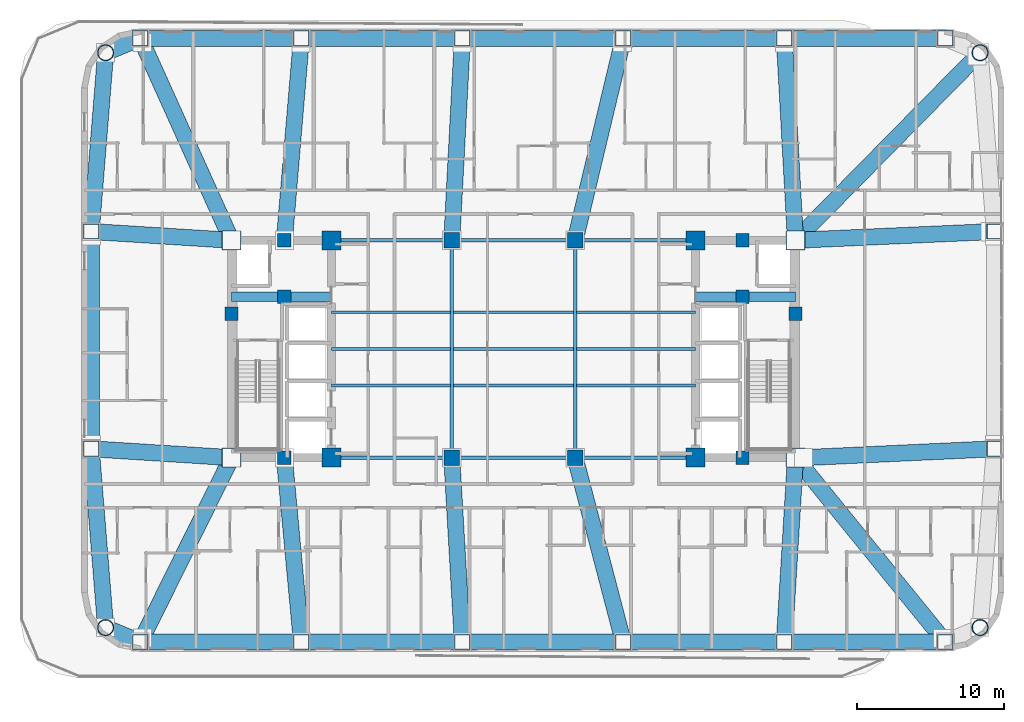
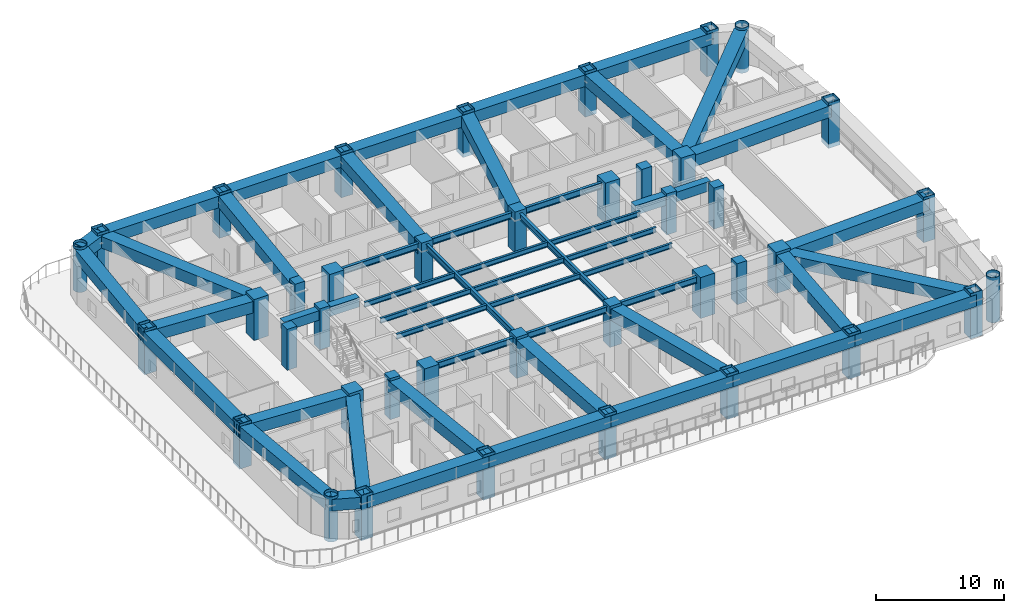
# One storey, part 1 of 18: 50 beams, 40 columns.
"""IFC4 building model written with IfcOpenShell, lengths in metres."""

from ifc_helpers import new_model, si_unit, direction, frame, origin, origin_2d, place, context, subcontext, project, spatial, rectangle, hollow_rectangle, hollow_circle, i_section, extrude, material, material_profile, profile_set, type_object, element, save


model = new_model("IFC4")

# Units and contexts
model_context = context("Model", 3, precision=1e-05, world=origin(), true_north=direction((0.0, 1.0)))
body_context = subcontext(model_context, "Body", "Model", "MODEL_VIEW")
ifc_project = project(units=[si_unit("LENGTHUNIT", "METRE"), si_unit("AREAUNIT", "SQUARE_METRE"), si_unit("VOLUMEUNIT", "CUBIC_METRE"), si_unit("PLANEANGLEUNIT", "RADIAN"), si_unit("MASSUNIT", "GRAM", prefix="KILO")], contexts=[model_context])

# Site, building, storey
site_placement = place(None, origin())
site = spatial("IfcSite", under=ifc_project, at=site_placement, CompositionType="ELEMENT")
building_placement = place(site_placement, origin())
building = spatial("IfcBuilding", under=site, at=building_placement, Name="Voryun Gate Residences", CompositionType="ELEMENT")
storey_placement = place(building_placement, frame((0.0, 0.0, 85.800048828125)))
storey = spatial("IfcBuildingStorey", under=building, at=storey_placement, Name="L20", CompositionType="ELEMENT", Elevation=85.800048828125)

# Columns
ifc_material_1 = material(Name="Concrete C50/60", Category="concrete")
ifc_material_profile_1 = material_profile(ifc_material_1, rectangle(XDim=1.050048828125, YDim=1.050048828125, at=origin_2d()), Name="RC-1050x1050")
ifc_profile_set_1 = profile_set([ifc_material_profile_1], Name="Concrete C50/60")
column_type_1 = type_object("IfcColumnType", Name="COL_CORE_1050", PredefinedType="COLUMN", material=ifc_profile_set_1)
for number, where, z_axis, x_axis, name in (
    (1, (-4.199951171875, -7.39990234375, 0.0), (0.0, 0.0, 1.0), (1.0, 0.0, 0.0), "L20 Interior spine column SP-WS"),
    (2, (-4.199951171875, 7.39990234375, 0.0), (0.0, 0.0, 1.0), (1.0, 0.0, 0.0), "L20 Interior spine column SP-WN"),
    (3, (4.199951171875, -7.39990234375, 0.0), (0.0, 0.0, 1.0), (1.0, 0.0, 0.0), "L20 Interior spine column SP-ES"),
    (4, (4.199951171875, 7.39990234375, 0.0), (0.0, 0.0, 1.0), (1.0, 0.0, 0.0), "L20 Interior spine column SP-EN"),
):
    element("IfcColumn", number, at=place(storey_placement, frame(where, z_axis=z_axis, x_axis=x_axis)), inside=storey, type_object=column_type_1, Name=name, PredefinedType="COLUMN", context=body_context, shape_type="SweptSolid", body=[
        extrude(rectangle(XDim=1.050048828125, YDim=1.050048828125, at=origin_2d()), origin(), (0.0, 0.0, 1.0), 3.89990234375),
    ])
ifc_material_2 = material(Name="Concrete C50/60", Category="concrete")
ifc_material_profile_2 = material_profile(ifc_material_2, rectangle(XDim=0.89990234375, YDim=0.89990234375, at=origin_2d()), Name="RC-900x900")
ifc_profile_set_2 = profile_set([ifc_material_profile_2], Name="Concrete C50/60")
column_type_2 = type_object("IfcColumnType", Name="COL_CORE_900", PredefinedType="COLUMN", material=ifc_profile_set_2)
for number, where, z_axis, x_axis, name in (
    (5, (-19.199951171875, 2.39990234375, 0.0), (0.0, 0.0, 1.0), (1.0, 0.0, 0.0), "L20 Core boundary column WC-MW"),
    (6, (-15.60009765625, -7.39990234375, 0.0), (0.0, 0.0, 1.0), (1.0, 0.0, 0.0), "L20 Core boundary column WC-SM"),
    (7, (-15.60009765625, 7.39990234375, 0.0), (0.0, 0.0, 1.0), (1.0, 0.0, 0.0), "L20 Core boundary column WC-NM"),
    (8, (-15.60009765625, 3.550048828125, 0.0), (0.0, 0.0, 1.0), (1.0, 0.0, 0.0), "L20 Core boundary column WC-MM"),
    (9, (15.60009765625, 3.550048828125, 0.0), (0.0, 0.0, 1.0), (1.0, 0.0, 0.0), "L20 Core boundary column EC-MM"),
    (10, (15.60009765625, -7.39990234375, 0.0), (0.0, 0.0, 1.0), (1.0, 0.0, 0.0), "L20 Core boundary column EC-SM"),
    (11, (15.60009765625, 7.39990234375, 0.0), (0.0, 0.0, 1.0), (1.0, 0.0, 0.0), "L20 Core boundary column EC-NM"),
    (12, (19.199951171875, 2.39990234375, 0.0), (0.0, 0.0, 1.0), (1.0, 0.0, 0.0), "L20 Core boundary column EC-ME"),
):
    element("IfcColumn", number, at=place(storey_placement, frame(where, z_axis=z_axis, x_axis=x_axis)), inside=storey, type_object=column_type_2, Name=name, PredefinedType="COLUMN", context=body_context, shape_type="SweptSolid", body=[
        extrude(rectangle(XDim=0.89990234375, YDim=0.89990234375, at=origin_2d()), origin(), (0.0, 0.0, 1.0), 3.89990234375),
    ])
ifc_material_3 = material(Name="Steel SM420", Category="steel")
ifc_material_profile_3 = material_profile(ifc_material_3, hollow_circle(Radius=0.550048828125, WallThickness=0.035888671875, at=origin_2d()), Name="CHS-1100x36")
ifc_profile_set_3 = profile_set([ifc_material_profile_3], Name="Steel SM420")
column_type_3 = type_object("IfcColumnType", Name="COL_CRN_1100", PredefinedType="COLUMN", material=ifc_profile_set_3)
for number, where, z_axis, x_axis, name in (
    (13, (31.768798828125, -18.96875, -0.400146484375), (0.0, 0.0, 1.0), (1.0, 0.0, 0.0), "L20 Exoskeleton column CSE"),
    (14, (31.768798828125, 20.168701171875, -0.400146484375), (0.0, 0.0, 1.0), (1.0, 0.0, 0.0), "L20 Exoskeleton column CNE"),
    (15, (-27.768798828125, 20.168701171875, -0.400146484375), (0.0, 0.0, 1.0), (1.0, 0.0, 0.0), "L20 Exoskeleton column CNW"),
    (16, (-27.768798828125, -18.96875, -0.400146484375), (0.0, 0.0, 1.0), (1.0, 0.0, 0.0), "L20 Exoskeleton column CSW"),
):
    element("IfcColumn", number, at=place(storey_placement, frame(where, z_axis=z_axis, x_axis=x_axis)), inside=storey, type_object=column_type_3, Name=name, PredefinedType="COLUMN", context=body_context, shape_type="SweptSolid", body=[
        extrude(hollow_circle(Radius=0.550048828125, WallThickness=0.035888671875, at=origin_2d()), origin(), (0.0, 0.0, 1.0), 4.300048828125),
    ])
ifc_material_4 = material(Name="Steel SM420", Category="steel")
ifc_material_profile_4 = material_profile(ifc_material_4, hollow_rectangle(XDim=1.050048828125, YDim=1.050048828125, WallThickness=0.035888671875, at=origin_2d()), Name="BOX-1050x1050x36")
ifc_profile_set_4 = profile_set([ifc_material_profile_4], Name="Steel SM420")
column_type_4 = type_object("IfcColumnType", Name="COL_EXO_B2", PredefinedType="COLUMN", material=ifc_profile_set_4)
for number, where, z_axis, x_axis, name in (
    (17, (-25.39990234375, -19.949951171875, -0.400146484375), (0.0, 0.0, 1.0), (1.0, 0.0, 0.0), "L20 Exoskeleton column S1"),
    (18, (-14.43994140625, -19.949951171875, -0.400146484375), (0.0, 0.0, 1.0), (1.0, 0.0, 0.0), "L20 Exoskeleton column S2"),
    (19, (-3.47998046875, -19.949951171875, -0.400146484375), (0.0, 0.0, 1.0), (1.0, 0.0, 0.0), "L20 Exoskeleton column S3"),
    (20, (7.47998046875, -19.949951171875, -0.400146484375), (0.0, 0.0, 1.0), (1.0, 0.0, 0.0), "L20 Exoskeleton column S4"),
    (21, (18.43994140625, -19.949951171875, -0.400146484375), (0.0, 0.0, 1.0), (1.0, 0.0, 0.0), "L20 Exoskeleton column S5"),
    (22, (29.39990234375, -19.949951171875, -0.400146484375), (0.0, 0.0, 1.0), (1.0, 0.0, 0.0), "L20 Exoskeleton column S6"),
    (23, (32.75, -6.798095703125, -0.400146484375), (0.0, 0.0, 1.0), (1.0, 0.0, 0.0), "L20 Exoskeleton column E1"),
    (24, (32.75, 7.998046875, -0.400146484375), (0.0, 0.0, 1.0), (1.0, 0.0, 0.0), "L20 Exoskeleton column E2"),
    (25, (29.39990234375, 21.14990234375, -0.400146484375), (0.0, 0.0, 1.0), (1.0, 0.0, 0.0), "L20 Exoskeleton column N1"),
    (26, (18.43994140625, 21.14990234375, -0.400146484375), (0.0, 0.0, 1.0), (1.0, 0.0, 0.0), "L20 Exoskeleton column N2"),
    (27, (7.47998046875, 21.14990234375, -0.400146484375), (0.0, 0.0, 1.0), (1.0, 0.0, 0.0), "L20 Exoskeleton column N3"),
    (28, (-3.47998046875, 21.14990234375, -0.400146484375), (0.0, 0.0, 1.0), (1.0, 0.0, 0.0), "L20 Exoskeleton column N4"),
    (29, (-14.43994140625, 21.14990234375, -0.400146484375), (0.0, 0.0, 1.0), (1.0, 0.0, 0.0), "L20 Exoskeleton column N5"),
    (30, (-25.39990234375, 21.14990234375, -0.400146484375), (0.0, 0.0, 1.0), (1.0, 0.0, 0.0), "L20 Exoskeleton column N6"),
    (31, (-28.75, 7.998046875, -0.400146484375), (0.0, 0.0, 1.0), (1.0, 0.0, 0.0), "L20 Exoskeleton column W1"),
    (32, (-28.75, -6.798095703125, -0.400146484375), (0.0, 0.0, 1.0), (1.0, 0.0, 0.0), "L20 Exoskeleton column W2"),
):
    element("IfcColumn", number, at=place(storey_placement, frame(where, z_axis=z_axis, x_axis=x_axis)), inside=storey, type_object=column_type_4, Name=name, PredefinedType="COLUMN", context=body_context, shape_type="SweptSolid", body=[
        extrude(hollow_rectangle(XDim=1.050048828125, YDim=1.050048828125, WallThickness=0.035888671875, at=origin_2d()), origin(), (0.0, 0.0, 1.0), 4.300048828125),
    ])
ifc_material_5 = material(Name="Concrete C60/75", Category="concrete")
ifc_material_profile_5 = material_profile(ifc_material_5, rectangle(XDim=1.300048828125, YDim=1.300048828125, at=origin_2d()), Name="RC-1300x1300")
ifc_profile_set_5 = profile_set([ifc_material_profile_5], Name="Concrete C60/75")
column_type_5 = type_object("IfcColumnType", Name="COL_MEGA_1300", PredefinedType="COLUMN", material=ifc_profile_set_5)
for number, where, z_axis, x_axis, name in (
    (33, (-19.199951171875, -7.39990234375, 0.0), (0.0, 0.0, 1.0), (1.0, 0.0, 0.0), "L20 Core boundary column WC-SW"),
    (34, (-19.199951171875, 7.39990234375, 0.0), (0.0, 0.0, 1.0), (1.0, 0.0, 0.0), "L20 Core boundary column WC-NW"),
    (35, (-12.39990234375, -7.39990234375, 0.0), (0.0, 0.0, 1.0), (1.0, 0.0, 0.0), "L20 Core boundary column WC-SE"),
    (36, (-12.39990234375, 7.39990234375, 0.0), (0.0, 0.0, 1.0), (1.0, 0.0, 0.0), "L20 Core boundary column WC-NE"),
    (37, (12.39990234375, -7.39990234375, 0.0), (0.0, 0.0, 1.0), (1.0, 0.0, 0.0), "L20 Core boundary column EC-SW"),
    (38, (12.39990234375, 7.39990234375, 0.0), (0.0, 0.0, 1.0), (1.0, 0.0, 0.0), "L20 Core boundary column EC-NW"),
    (39, (19.199951171875, -7.39990234375, 0.0), (0.0, 0.0, 1.0), (1.0, 0.0, 0.0), "L20 Core boundary column EC-SE"),
    (40, (19.199951171875, 7.39990234375, 0.0), (0.0, 0.0, 1.0), (1.0, 0.0, 0.0), "L20 Core boundary column EC-NE"),
):
    element("IfcColumn", number, at=place(storey_placement, frame(where, z_axis=z_axis, x_axis=x_axis)), inside=storey, type_object=column_type_5, Name=name, PredefinedType="COLUMN", context=body_context, shape_type="SweptSolid", body=[
        extrude(rectangle(XDim=1.300048828125, YDim=1.300048828125, at=origin_2d()), origin(), (0.0, 0.0, 1.0), 3.89990234375),
    ])

# Beams
ifc_material_6 = material(Name="Steel SM420", Category="steel")
ifc_material_profile_6 = material_profile(ifc_material_6, hollow_rectangle(XDim=1.10009765625, YDim=1.10009765625, WallThickness=0.035888671875, at=origin_2d()), Name="BOX-1100x1100x36")
ifc_profile_set_6 = profile_set([ifc_material_profile_6], Name="Steel SM420")
beam_type_1 = type_object("IfcBeamType", Name="BM_ARCH_RIB", PredefinedType="USERDEFINED", material=ifc_profile_set_6)
for number, where, z_axis, x_axis, name in (
    (41, (-25.39990234375, -19.949951171875, 3.099853515625), (1.0, 0.0, 0.0), (0.0, 1.0, 0.0), "BM-L20-SPAND-01"),
    (42, (-14.43994140625, -19.949951171875, 3.099853515625), (1.0, 0.0, 0.0), (0.0, 1.0, 0.0), "BM-L20-SPAND-02"),
    (43, (-3.47998046875, -19.949951171875, 3.099853515625), (1.0, 0.0, 0.0), (0.0, 1.0, 0.0), "BM-L20-SPAND-03"),
    (44, (7.47998046875, -19.949951171875, 3.099853515625), (1.0, 0.0, 0.0), (0.0, 1.0, 0.0), "BM-L20-SPAND-04"),
    (45, (18.43994140625, -19.949951171875, 3.099853515625), (1.0, 0.0, 0.0), (0.0, 1.0, 0.0), "BM-L20-SPAND-05"),
    (46, (29.39990234375, 21.14990234375, 3.099853515625), (-1.0, 0.0, 0.0), (0.0, -1.0, 0.0), "BM-L20-SPAND-11"),
    (47, (18.43994140625, 21.14990234375, 3.099853515625), (-1.0, 0.0, 0.0), (0.0, -1.0, 0.0), "BM-L20-SPAND-12"),
    (48, (7.47998046875, 21.14990234375, 3.099853515625), (-1.0, 0.0, 0.0), (0.0, -1.0, 0.0), "BM-L20-SPAND-13"),
    (49, (-3.47998046875, 21.14990234375, 3.099853515625), (-1.0, 0.0, 0.0), (0.0, -1.0, 0.0), "BM-L20-SPAND-14"),
    (50, (-14.43994140625, 21.14990234375, 3.099853515625), (-1.0, 0.0, 0.0), (0.0, -1.0, 0.0), "BM-L20-SPAND-15"),
):
    element("IfcBeam", number, at=place(storey_placement, frame(where, z_axis=z_axis, x_axis=x_axis)), inside=storey, type_object=beam_type_1, Name=name, ObjectType="GIRDER", PredefinedType="USERDEFINED", context=body_context, shape_type="SweptSolid", body=[
        extrude(hollow_rectangle(XDim=1.10009765625, YDim=1.10009765625, WallThickness=0.035888671875, at=origin_2d()), origin(), (0.0, 0.0, 1.0), 10.9599609375),
    ])
beam_1_placement = place(storey_placement, frame((-25.39990234375, 21.14990234375, 3.099853515625), z_axis=(-0.923883376753, -0.382674151414, 0.0), x_axis=(0.382674151414, -0.923883376753, 0.0)))
element("IfcBeam", 51, at=beam_1_placement, inside=storey, type_object=beam_type_1, Name="BM-L20-SPAND-16", ObjectType="GIRDER", PredefinedType="USERDEFINED", context=body_context, shape_type="SweptSolid", body=[
    extrude(hollow_rectangle(XDim=1.10009765625, YDim=1.10009765625, WallThickness=0.035888671875, at=origin_2d()), origin(), (0.0, 0.0, 1.0), 2.56396484375),
])
beam_2_placement = place(storey_placement, frame((-27.768798828125, 20.168701171875, 3.099853515625), z_axis=(-0.080359517973, -0.996765944378, 0.0), x_axis=(0.996765944378, -0.080359517973, 0.0)))
element("IfcBeam", 52, at=beam_2_placement, inside=storey, type_object=beam_type_1, Name="BM-L20-SPAND-17", ObjectType="GIRDER", PredefinedType="USERDEFINED", context=body_context, shape_type="SweptSolid", body=[
    extrude(hollow_rectangle(XDim=1.10009765625, YDim=1.10009765625, WallThickness=0.035888671875, at=origin_2d()), origin(), (0.0, 0.0, 1.0), 12.210205078125),
])
beam_3_placement = place(storey_placement, frame((-28.75, 7.697998046875, 3.099853515625), z_axis=(0.0, -1.0, 0.0), x_axis=(1.0, 0.0, 0.0)))
element("IfcBeam", 53, at=beam_3_placement, inside=storey, type_object=beam_type_1, Name="BM-L20-SPAND-18", ObjectType="GIRDER", PredefinedType="USERDEFINED", context=body_context, shape_type="SweptSolid", body=[
    extrude(hollow_rectangle(XDim=1.10009765625, YDim=1.10009765625, WallThickness=0.035888671875, at=origin_2d()), origin(), (0.0, 0.0, 1.0), 14.196044921875),
])
beam_4_placement = place(storey_placement, frame((-28.75, -6.798095703125, 3.099853515625), z_axis=(0.080359517973, -0.996765944378, 0.0), x_axis=(0.996765944378, 0.080359517973, 0.0)))
element("IfcBeam", 54, at=beam_4_placement, inside=storey, type_object=beam_type_1, Name="BM-L20-SPAND-19", ObjectType="GIRDER", PredefinedType="USERDEFINED", context=body_context, shape_type="SweptSolid", body=[
    extrude(hollow_rectangle(XDim=1.10009765625, YDim=1.10009765625, WallThickness=0.035888671875, at=origin_2d()), origin(), (0.0, 0.0, 1.0), 12.210205078125),
])
beam_5_placement = place(storey_placement, frame((-27.768798828125, -18.96875, 3.099853515625), z_axis=(0.923883376753, -0.382674151414, 0.0), x_axis=(0.382674151414, 0.923883376753, 0.0)))
element("IfcBeam", 55, at=beam_5_placement, inside=storey, type_object=beam_type_1, Name="BM-L20-SPAND-20", ObjectType="GIRDER", PredefinedType="USERDEFINED", context=body_context, shape_type="SweptSolid", body=[
    extrude(hollow_rectangle(XDim=1.10009765625, YDim=1.10009765625, WallThickness=0.035888671875, at=origin_2d()), origin(), (0.0, 0.0, 1.0), 2.56396484375),
])
beam_6_placement = place(storey_placement, frame((-19.199951171875, -7.39990234375, 3.099853515625), z_axis=(-0.442923772333, -0.89655927406, 0.0), x_axis=(0.89655927406, -0.442923772333, 0.0)))
element("IfcBeam", 56, at=beam_6_placement, inside=storey, type_object=beam_type_1, Name="BM-L20-RAD-S1", ObjectType="GIRDER", PredefinedType="USERDEFINED", context=body_context, shape_type="SweptSolid", body=[
    extrude(hollow_rectangle(XDim=1.10009765625, YDim=1.10009765625, WallThickness=0.035888671875, at=origin_2d()), origin(), (0.0, 0.0, 1.0), 13.697998046875),
])
beam_7_placement = place(storey_placement, frame((-15.60009765625, -7.39990234375, 3.099853515625), z_axis=(0.092049895705, -0.995754395773, 0.0), x_axis=(0.995754395773, 0.092049895705, 0.0)))
element("IfcBeam", 57, at=beam_7_placement, inside=storey, type_object=beam_type_1, Name="BM-L20-RAD-S2", ObjectType="GIRDER", PredefinedType="USERDEFINED", context=body_context, shape_type="SweptSolid", body=[
    extrude(hollow_rectangle(XDim=1.10009765625, YDim=1.10009765625, WallThickness=0.035888671875, at=origin_2d()), origin(), (0.0, 0.0, 1.0), 12.603515625),
])
beam_8_placement = place(storey_placement, frame((-4.199951171875, -7.39990234375, 3.099853515625), z_axis=(0.057273791334, -0.998358509167, 0.0), x_axis=(0.998358509167, 0.057273791334, 0.0)))
element("IfcBeam", 58, at=beam_8_placement, inside=storey, type_object=beam_type_1, Name="BM-L20-RAD-S3", ObjectType="GIRDER", PredefinedType="USERDEFINED", context=body_context, shape_type="SweptSolid", body=[
    extrude(hollow_rectangle(XDim=1.10009765625, YDim=1.10009765625, WallThickness=0.035888671875, at=origin_2d()), origin(), (0.0, 0.0, 1.0), 12.57080078125),
])
beam_9_placement = place(storey_placement, frame((4.199951171875, -7.39990234375, 3.099853515625), z_axis=(0.252862419611, -0.967502246379, 0.0), x_axis=(0.967502246379, 0.252862419611, 0.0)))
element("IfcBeam", 59, at=beam_9_placement, inside=storey, type_object=beam_type_1, Name="BM-L20-RAD-S4", ObjectType="GIRDER", PredefinedType="USERDEFINED", context=body_context, shape_type="SweptSolid", body=[
    extrude(hollow_rectangle(XDim=1.10009765625, YDim=1.10009765625, WallThickness=0.035888671875, at=origin_2d()), origin(), (0.0, 0.0, 1.0), 12.9716796875),
])
beam_10_placement = place(storey_placement, frame((19.199951171875, -7.39990234375, 3.099853515625), z_axis=(-0.060447572917, -0.998171373527, 0.0), x_axis=(0.998171373527, -0.060447572917, 0.0)))
element("IfcBeam", 60, at=beam_10_placement, inside=storey, type_object=beam_type_1, Name="BM-L20-RAD-S5", ObjectType="GIRDER", PredefinedType="USERDEFINED", context=body_context, shape_type="SweptSolid", body=[
    extrude(hollow_rectangle(XDim=1.10009765625, YDim=1.10009765625, WallThickness=0.035888671875, at=origin_2d()), origin(), (0.0, 0.0, 1.0), 12.572998046875),
])
beam_11_placement = place(storey_placement, frame((19.199951171875, -7.39990234375, 3.099853515625), z_axis=(0.630701483453, -0.776025540025, 0.0), x_axis=(0.776025540025, 0.630701483453, 0.0)))
element("IfcBeam", 61, at=beam_11_placement, inside=storey, type_object=beam_type_1, Name="BM-L20-RAD-S6", ObjectType="GIRDER", PredefinedType="USERDEFINED", context=body_context, shape_type="SweptSolid", body=[
    extrude(hollow_rectangle(XDim=1.10009765625, YDim=1.10009765625, WallThickness=0.035888671875, at=origin_2d()), origin(), (0.0, 0.0, 1.0), 15.872314453125),
])
beam_12_placement = place(storey_placement, frame((19.75, -7.39990234375, 3.099853515625), z_axis=(0.998930206616, 0.046243294759, 0.0), x_axis=(-0.046243294759, 0.998930206616, 0.0)))
element("IfcBeam", 62, at=beam_12_placement, inside=storey, type_object=beam_type_1, Name="BM-L20-RAD-E1", ObjectType="GIRDER", PredefinedType="USERDEFINED", context=body_context, shape_type="SweptSolid", body=[
    extrude(hollow_rectangle(XDim=1.10009765625, YDim=1.10009765625, WallThickness=0.035888671875, at=origin_2d()), origin(), (0.0, 0.0, 1.0), 13.013916015625),
])
beam_13_placement = place(storey_placement, frame((19.199951171875, 7.39990234375, 3.099853515625), z_axis=(0.999026935295, 0.044104223775, 0.0), x_axis=(-0.044104223775, 0.999026935295, 0.0)))
element("IfcBeam", 63, at=beam_13_placement, inside=storey, type_object=beam_type_1, Name="BM-L20-RAD-E2", ObjectType="GIRDER", PredefinedType="USERDEFINED", context=body_context, shape_type="SweptSolid", body=[
    extrude(hollow_rectangle(XDim=1.10009765625, YDim=1.10009765625, WallThickness=0.035888671875, at=origin_2d()), origin(), (0.0, 0.0, 1.0), 13.26318359375),
])
beam_14_placement = place(storey_placement, frame((19.199951171875, 7.39990234375, 3.099853515625), z_axis=(0.701499888772, 0.712669563018, 0.0), x_axis=(-0.712669563018, 0.701499888772, 0.0)))
element("IfcBeam", 64, at=beam_14_placement, inside=storey, type_object=beam_type_1, Name="BM-L20-RAD-CNE", ObjectType="GIRDER", PredefinedType="USERDEFINED", context=body_context, shape_type="SweptSolid", body=[
    extrude(hollow_rectangle(XDim=1.10009765625, YDim=1.10009765625, WallThickness=0.035888671875, at=origin_2d()), origin(), (0.0, 0.0, 1.0), 17.6171875),
])
beam_15_placement = place(storey_placement, frame((19.199951171875, 7.39990234375, 3.099853515625), z_axis=(-0.055184954346, 0.998476149346, 0.0), x_axis=(-0.998476149346, -0.055184954346, 0.0)))
element("IfcBeam", 65, at=beam_15_placement, inside=storey, type_object=beam_type_1, Name="BM-L20-RAD-N2", ObjectType="GIRDER", PredefinedType="USERDEFINED", context=body_context, shape_type="SweptSolid", body=[
    extrude(hollow_rectangle(XDim=1.10009765625, YDim=1.10009765625, WallThickness=0.035888671875, at=origin_2d()), origin(), (0.0, 0.0, 1.0), 13.47119140625),
])
beam_16_placement = place(storey_placement, frame((4.199951171875, 7.39990234375, 3.099853515625), z_axis=(0.232037976677, 0.972706727323, 0.0), x_axis=(-0.972706727323, 0.232037976677, 0.0)))
element("IfcBeam", 66, at=beam_16_placement, inside=storey, type_object=beam_type_1, Name="BM-L20-RAD-N3", ObjectType="GIRDER", PredefinedType="USERDEFINED", context=body_context, shape_type="SweptSolid", body=[
    extrude(hollow_rectangle(XDim=1.10009765625, YDim=1.10009765625, WallThickness=0.035888671875, at=origin_2d()), origin(), (0.0, 0.0, 1.0), 13.8359375),
])
beam_17_placement = place(storey_placement, frame((-4.199951171875, 7.39990234375, 3.099853515625), z_axis=(0.052294347673, 0.998631714498, 0.0), x_axis=(-0.998631714498, 0.052294347673, 0.0)))
element("IfcBeam", 67, at=beam_17_placement, inside=storey, type_object=beam_type_1, Name="BM-L20-RAD-N4", ObjectType="GIRDER", PredefinedType="USERDEFINED", context=body_context, shape_type="SweptSolid", body=[
    extrude(hollow_rectangle(XDim=1.10009765625, YDim=1.10009765625, WallThickness=0.035888671875, at=origin_2d()), origin(), (0.0, 0.0, 1.0), 13.46875),
])
beam_18_placement = place(storey_placement, frame((-15.60009765625, 7.39990234375, 3.099853515625), z_axis=(0.08408119387, 0.996458906748, 0.0), x_axis=(-0.996458906748, 0.08408119387, 0.0)))
element("IfcBeam", 68, at=beam_18_placement, inside=storey, type_object=beam_type_1, Name="BM-L20-RAD-N5", ObjectType="GIRDER", PredefinedType="USERDEFINED", context=body_context, shape_type="SweptSolid", body=[
    extrude(hollow_rectangle(XDim=1.10009765625, YDim=1.10009765625, WallThickness=0.035888671875, at=origin_2d()), origin(), (0.0, 0.0, 1.0), 13.4990234375),
])
beam_19_placement = place(storey_placement, frame((-19.199951171875, 7.39990234375, 3.099853515625), z_axis=(-0.411051243502, 0.911612239505, 0.0), x_axis=(-0.911612239505, -0.411051243502, 0.0)))
element("IfcBeam", 69, at=beam_19_placement, inside=storey, type_object=beam_type_1, Name="BM-L20-RAD-N6", ObjectType="GIRDER", PredefinedType="USERDEFINED", context=body_context, shape_type="SweptSolid", body=[
    extrude(hollow_rectangle(XDim=1.10009765625, YDim=1.10009765625, WallThickness=0.035888671875, at=origin_2d()), origin(), (0.0, 0.0, 1.0), 14.783203125),
])
beam_20_placement = place(storey_placement, frame((-19.199951171875, 7.39990234375, 3.099853515625), z_axis=(-0.998044329736, 0.062510126233, 0.0), x_axis=(-0.062510126233, -0.998044329736, 0.0)))
element("IfcBeam", 70, at=beam_20_placement, inside=storey, type_object=beam_type_1, Name="BM-L20-RAD-W1", ObjectType="GIRDER", PredefinedType="USERDEFINED", context=body_context, shape_type="SweptSolid", body=[
    extrude(hollow_rectangle(XDim=1.10009765625, YDim=1.10009765625, WallThickness=0.035888671875, at=origin_2d()), origin(), (0.0, 0.0, 1.0), 9.56884765625),
])
beam_21_placement = place(storey_placement, frame((-19.199951171875, -7.39990234375, 3.099853515625), z_axis=(-0.998020380726, 0.062891332119, 0.0), x_axis=(-0.062891332119, -0.998020380726, 0.0)))
element("IfcBeam", 71, at=beam_21_placement, inside=storey, type_object=beam_type_1, Name="BM-L20-RAD-W2", ObjectType="GIRDER", PredefinedType="USERDEFINED", context=body_context, shape_type="SweptSolid", body=[
    extrude(hollow_rectangle(XDim=1.10009765625, YDim=1.10009765625, WallThickness=0.035888671875, at=origin_2d()), origin(), (0.0, 0.0, 1.0), 9.569091796875),
])
ifc_material_7 = material(Name="Concrete C60/75", Category="concrete")
ifc_material_profile_7 = material_profile(ifc_material_7, rectangle(XDim=0.64990234375, YDim=0.89990234375, at=origin_2d()), Name="RC-650x900")
ifc_profile_set_7 = profile_set([ifc_material_profile_7], Name="Concrete C60/75")
beam_type_2 = type_object("IfcBeamType", Name="BM_COUP_RC900", PredefinedType="LINTEL", material=ifc_profile_set_7)
for number, where, z_axis, x_axis, name in (
    (72, (-19.199951171875, 3.550048828125, 3.199951171875), (1.0, 0.0, 0.0), (0.0, 1.0, 0.0), "BM-L20-WC1"),
    (73, (12.39990234375, 3.550048828125, 3.199951171875), (1.0, 0.0, 0.0), (0.0, 1.0, 0.0), "BM-L20-EC1"),
):
    element("IfcBeam", number, at=place(storey_placement, frame(where, z_axis=z_axis, x_axis=x_axis)), inside=storey, type_object=beam_type_2, Name=name, PredefinedType="LINTEL", context=body_context, shape_type="SweptSolid", body=[
        extrude(rectangle(XDim=0.64990234375, YDim=0.89990234375, at=origin_2d()), origin(), (0.0, 0.0, 1.0), 6.800048828125),
    ])
ifc_material_8 = material(Name="Steel SM355", Category="steel")
ifc_material_profile_8 = material_profile(ifc_material_8, i_section(OverallWidth=0.25, OverallDepth=0.60009765625, WebThickness=0.011962890625, FlangeThickness=0.02197265625, FilletRadius=0.01806640625, at=origin_2d()), Name="H-600x250x12x22")
ifc_profile_set_8 = profile_set([ifc_material_profile_8], Name="Steel SM355")
beam_type_3 = type_object("IfcBeamType", Name="BM_GIRD_600", PredefinedType="USERDEFINED", material=ifc_profile_set_8)
beam_22_placement = place(storey_placement, frame((-12.39990234375, -7.39990234375, 3.349853515625), z_axis=(1.0, 0.0, 0.0), x_axis=(0.0, 1.0, 0.0)))
element("IfcBeam", 74, at=beam_22_placement, inside=storey, type_object=beam_type_3, Name="BM-L20-SPG1-S", ObjectType="GIRDER", PredefinedType="USERDEFINED", context=body_context, shape_type="SweptSolid", body=[
    extrude(i_section(OverallWidth=0.25, OverallDepth=0.60009765625, WebThickness=0.011962890625, FlangeThickness=0.02197265625, FilletRadius=0.01806640625, at=origin_2d()), origin(), (0.0, 0.0, 1.0), 8.199951171875),
])
beam_23_placement = place(storey_placement, frame((-4.199951171875, -7.39990234375, 3.349853515625), z_axis=(1.0, 0.0, 0.0), x_axis=(0.0, 1.0, 0.0)))
element("IfcBeam", 75, at=beam_23_placement, inside=storey, type_object=beam_type_3, Name="BM-L20-SPG2-S", ObjectType="GIRDER", PredefinedType="USERDEFINED", context=body_context, shape_type="SweptSolid", body=[
    extrude(i_section(OverallWidth=0.25, OverallDepth=0.60009765625, WebThickness=0.011962890625, FlangeThickness=0.02197265625, FilletRadius=0.01806640625, at=origin_2d()), origin(), (0.0, 0.0, 1.0), 8.39990234375),
])
for number, where, z_axis, x_axis, name in (
    (76, (4.199951171875, -7.39990234375, 3.349853515625), (1.0, 0.0, 0.0), (0.0, 1.0, 0.0), "BM-L20-SPG3-S"),
    (77, (-12.39990234375, 7.39990234375, 3.349853515625), (1.0, 0.0, 0.0), (0.0, 1.0, 0.0), "BM-L20-SPG1-N"),
):
    element("IfcBeam", number, at=place(storey_placement, frame(where, z_axis=z_axis, x_axis=x_axis)), inside=storey, type_object=beam_type_3, Name=name, ObjectType="GIRDER", PredefinedType="USERDEFINED", context=body_context, shape_type="SweptSolid", body=[
        extrude(i_section(OverallWidth=0.25, OverallDepth=0.60009765625, WebThickness=0.011962890625, FlangeThickness=0.02197265625, FilletRadius=0.01806640625, at=origin_2d()), origin(), (0.0, 0.0, 1.0), 8.199951171875),
    ])
beam_24_placement = place(storey_placement, frame((-4.199951171875, 7.39990234375, 3.349853515625), z_axis=(1.0, 0.0, 0.0), x_axis=(0.0, 1.0, 0.0)))
element("IfcBeam", 78, at=beam_24_placement, inside=storey, type_object=beam_type_3, Name="BM-L20-SPG2-N", ObjectType="GIRDER", PredefinedType="USERDEFINED", context=body_context, shape_type="SweptSolid", body=[
    extrude(i_section(OverallWidth=0.25, OverallDepth=0.60009765625, WebThickness=0.011962890625, FlangeThickness=0.02197265625, FilletRadius=0.01806640625, at=origin_2d()), origin(), (0.0, 0.0, 1.0), 8.39990234375),
])
beam_25_placement = place(storey_placement, frame((4.199951171875, 7.39990234375, 3.349853515625), z_axis=(1.0, 0.0, 0.0), x_axis=(0.0, 1.0, 0.0)))
element("IfcBeam", 79, at=beam_25_placement, inside=storey, type_object=beam_type_3, Name="BM-L20-SPG3-N", ObjectType="GIRDER", PredefinedType="USERDEFINED", context=body_context, shape_type="SweptSolid", body=[
    extrude(i_section(OverallWidth=0.25, OverallDepth=0.60009765625, WebThickness=0.011962890625, FlangeThickness=0.02197265625, FilletRadius=0.01806640625, at=origin_2d()), origin(), (0.0, 0.0, 1.0), 8.199951171875),
])
for number, where, z_axis, x_axis, name in (
    (80, (-4.199951171875, -7.39990234375, 3.349853515625), (0.0, 1.0, 0.0), (-1.0, 0.0, 0.0), "BM-L20-SPX-W"),
    (81, (4.199951171875, -7.39990234375, 3.349853515625), (0.0, 1.0, 0.0), (-1.0, 0.0, 0.0), "BM-L20-SPX-E"),
):
    element("IfcBeam", number, at=place(storey_placement, frame(where, z_axis=z_axis, x_axis=x_axis)), inside=storey, type_object=beam_type_3, Name=name, ObjectType="GIRDER", PredefinedType="USERDEFINED", context=body_context, shape_type="SweptSolid", body=[
        extrude(i_section(OverallWidth=0.25, OverallDepth=0.60009765625, WebThickness=0.011962890625, FlangeThickness=0.02197265625, FilletRadius=0.01806640625, at=origin_2d()), origin(), (0.0, 0.0, 1.0), 14.7998046875),
    ])
ifc_material_9 = material(Name="Steel SM355", Category="steel")
ifc_material_profile_9 = material_profile(ifc_material_9, i_section(OverallWidth=0.199951171875, OverallDepth=0.47998046875, WebThickness=0.010009765625, FlangeThickness=0.01806640625, FilletRadius=0.01806640625, at=origin_2d()), Name="H-480x200x10x18")
ifc_profile_set_9 = profile_set([ifc_material_profile_9], Name="Steel SM355")
beam_type_4 = type_object("IfcBeamType", Name="BM_SEC_480", PredefinedType="BEAM", material=ifc_profile_set_9)
beam_26_placement = place(storey_placement, frame((-12.39990234375, -2.5, 3.409912109375), z_axis=(1.0, 0.0, 0.0), x_axis=(0.0, 1.0, 0.0)))
element("IfcBeam", 82, at=beam_26_placement, inside=storey, type_object=beam_type_4, Name="BM-L20-SEC-CS1", PredefinedType="BEAM", context=body_context, shape_type="SweptSolid", body=[
    extrude(i_section(OverallWidth=0.199951171875, OverallDepth=0.47998046875, WebThickness=0.010009765625, FlangeThickness=0.01806640625, FilletRadius=0.01806640625, at=origin_2d()), origin(), (0.0, 0.0, 1.0), 8.099853515625),
])
beam_27_placement = place(storey_placement, frame((-4.10009765625, -2.5, 3.409912109375), z_axis=(1.0, 0.0, 0.0), x_axis=(0.0, 1.0, 0.0)))
element("IfcBeam", 83, at=beam_27_placement, inside=storey, type_object=beam_type_4, Name="BM-L20-SEC-CS2", PredefinedType="BEAM", context=body_context, shape_type="SweptSolid", body=[
    extrude(i_section(OverallWidth=0.199951171875, OverallDepth=0.47998046875, WebThickness=0.010009765625, FlangeThickness=0.01806640625, FilletRadius=0.01806640625, at=origin_2d()), origin(), (0.0, 0.0, 1.0), 8.2001953125),
])
for number, where, z_axis, x_axis, name in (
    (84, (4.300048828125, -2.5, 3.409912109375), (1.0, 0.0, 0.0), (0.0, 1.0, 0.0), "BM-L20-SEC-CS3"),
    (85, (-12.39990234375, 0.0, 3.409912109375), (1.0, 0.0, 0.0), (0.0, 1.0, 0.0), "BM-L20-SEC-CM1"),
):
    element("IfcBeam", number, at=place(storey_placement, frame(where, z_axis=z_axis, x_axis=x_axis)), inside=storey, type_object=beam_type_4, Name=name, PredefinedType="BEAM", context=body_context, shape_type="SweptSolid", body=[
        extrude(i_section(OverallWidth=0.199951171875, OverallDepth=0.47998046875, WebThickness=0.010009765625, FlangeThickness=0.01806640625, FilletRadius=0.01806640625, at=origin_2d()), origin(), (0.0, 0.0, 1.0), 8.099853515625),
    ])
beam_28_placement = place(storey_placement, frame((-4.10009765625, 0.0, 3.409912109375), z_axis=(1.0, 0.0, 0.0), x_axis=(0.0, 1.0, 0.0)))
element("IfcBeam", 86, at=beam_28_placement, inside=storey, type_object=beam_type_4, Name="BM-L20-SEC-CM2", PredefinedType="BEAM", context=body_context, shape_type="SweptSolid", body=[
    extrude(i_section(OverallWidth=0.199951171875, OverallDepth=0.47998046875, WebThickness=0.010009765625, FlangeThickness=0.01806640625, FilletRadius=0.01806640625, at=origin_2d()), origin(), (0.0, 0.0, 1.0), 8.2001953125),
])
for number, where, z_axis, x_axis, name in (
    (87, (4.300048828125, 0.0, 3.409912109375), (1.0, 0.0, 0.0), (0.0, 1.0, 0.0), "BM-L20-SEC-CM3"),
    (88, (-12.39990234375, 2.5, 3.409912109375), (1.0, 0.0, 0.0), (0.0, 1.0, 0.0), "BM-L20-SEC-CN1"),
):
    element("IfcBeam", number, at=place(storey_placement, frame(where, z_axis=z_axis, x_axis=x_axis)), inside=storey, type_object=beam_type_4, Name=name, PredefinedType="BEAM", context=body_context, shape_type="SweptSolid", body=[
        extrude(i_section(OverallWidth=0.199951171875, OverallDepth=0.47998046875, WebThickness=0.010009765625, FlangeThickness=0.01806640625, FilletRadius=0.01806640625, at=origin_2d()), origin(), (0.0, 0.0, 1.0), 8.099853515625),
    ])
beam_29_placement = place(storey_placement, frame((-4.10009765625, 2.5, 3.409912109375), z_axis=(1.0, 0.0, 0.0), x_axis=(0.0, 1.0, 0.0)))
element("IfcBeam", 89, at=beam_29_placement, inside=storey, type_object=beam_type_4, Name="BM-L20-SEC-CN2", PredefinedType="BEAM", context=body_context, shape_type="SweptSolid", body=[
    extrude(i_section(OverallWidth=0.199951171875, OverallDepth=0.47998046875, WebThickness=0.010009765625, FlangeThickness=0.01806640625, FilletRadius=0.01806640625, at=origin_2d()), origin(), (0.0, 0.0, 1.0), 8.2001953125),
])
beam_30_placement = place(storey_placement, frame((4.300048828125, 2.5, 3.409912109375), z_axis=(1.0, 0.0, 0.0), x_axis=(0.0, 1.0, 0.0)))
element("IfcBeam", 90, at=beam_30_placement, inside=storey, type_object=beam_type_4, Name="BM-L20-SEC-CN3", PredefinedType="BEAM", context=body_context, shape_type="SweptSolid", body=[
    extrude(i_section(OverallWidth=0.199951171875, OverallDepth=0.47998046875, WebThickness=0.010009765625, FlangeThickness=0.01806640625, FilletRadius=0.01806640625, at=origin_2d()), origin(), (0.0, 0.0, 1.0), 8.099853515625),
])

save(model, "model.ifc")
